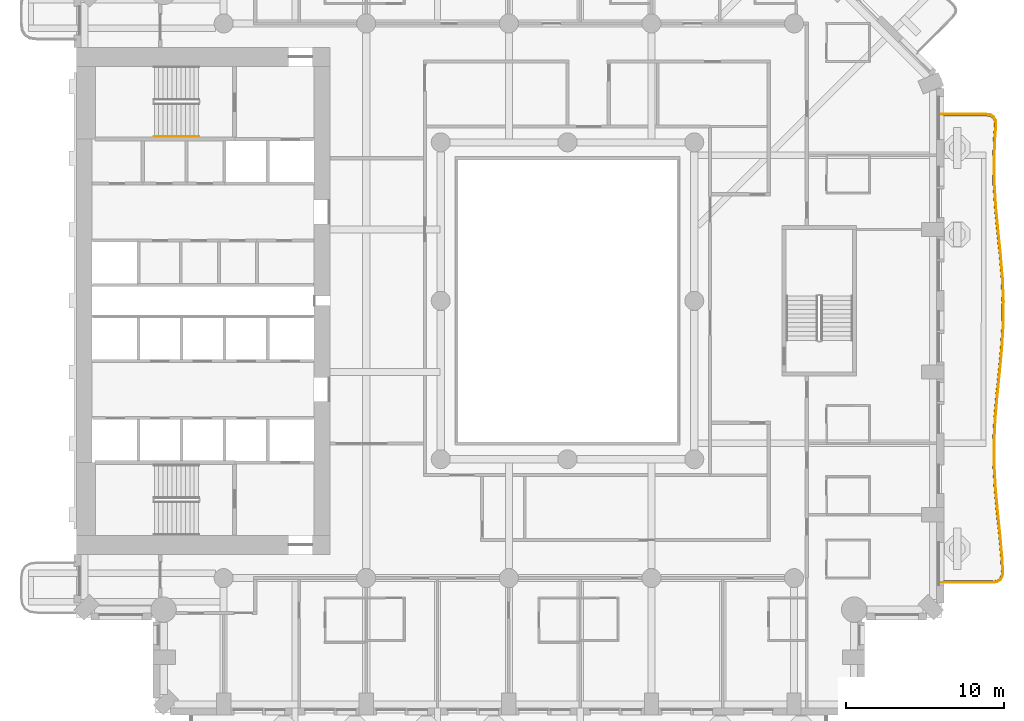
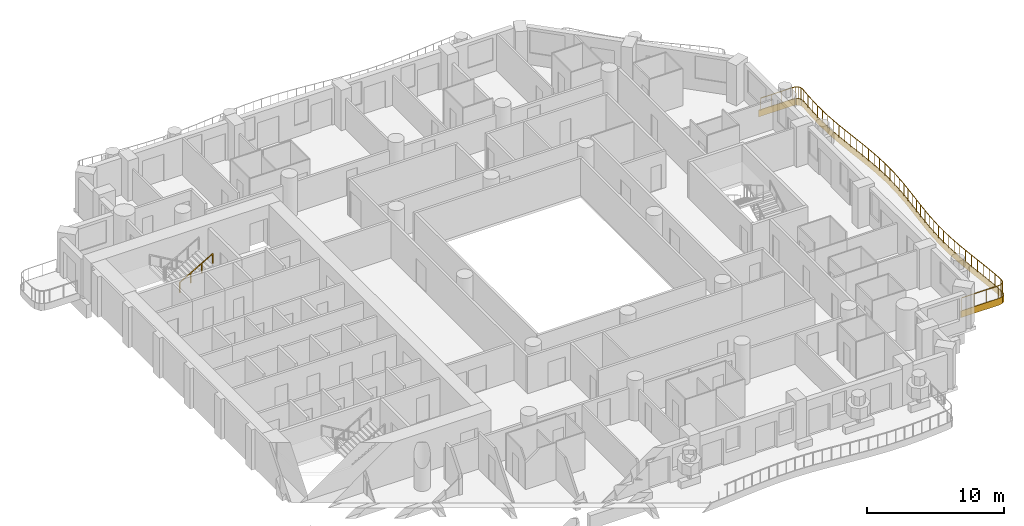
# One storey, part 16 of 20: 2 railings, 1 covering.
"""IFC4 building model written with IfcOpenShell, lengths in metres."""

import ifcopenshell
import ifcopenshell.guid

model = None  # the IFC model being written
_history = None  # IfcOwnerHistory: only IFC2X3 demands one
_inside = {}  # id of a spatial element -> (the spatial element, [elements in it])
_under = {}  # id of a project, library or spatial element -> (it, [spatial elements below it])
_declared = {}  # id of a project -> (the project, [libraries it declares])
_typed = {}  # id of a type object -> (the type object, [elements of that type])
_made_of = {}  # id of a material, layer set ... -> (it, [elements and type objects made of it])


def new_model(schema):
    """Start an empty IFC model of exactly this schema.

    Asked for "IFC4X3", IfcOpenShell would pick the latest addendum, in which some entities
    have other attributes; the version numbers below select the first issue.
    IFC2X3 requires an IfcOwnerHistory on every rooted entity: one is made here for all.
    """
    global model, _history
    if schema == "IFC4X3":
        model = ifcopenshell.file(schema_version=(4, 3, 0, 0))
    else:
        model = ifcopenshell.file(schema=schema)
    _inside.clear()
    _under.clear()
    _declared.clear()
    _typed.clear()
    _made_of.clear()
    _history = None
    if model.schema == "IFC2X3":
        org = make("IfcOrganization", Name="unknown")
        user = make(
            "IfcPersonAndOrganization",
            ThePerson=make("IfcPerson", FamilyName="unknown"),
            TheOrganization=org,
        )
        app = make(
            "IfcApplication",
            ApplicationDeveloper=org,
            Version="unknown",
            ApplicationFullName="unknown",
            ApplicationIdentifier="unknown",
        )
        _history = make(
            "IfcOwnerHistory",
            OwningUser=user,
            OwningApplication=app,
            ChangeAction="ADDED",
            CreationDate=0,
        )
    return model


def make(cls, **values):
    """One entity of the class cls with the attributes given. An attribute that is None is left unset."""
    return model.create_entity(
        cls, **{name: value for name, value in values.items() if value is not None}
    )


def rooted(cls, **values):
    """An entity with a GlobalId (a new one), such as an element, a storey or a relation."""
    return make(cls, GlobalId=ifcopenshell.guid.new(), OwnerHistory=_history, **values)


def si_unit(unit_type, name, prefix=None):
    """IfcSIUnit, for example si_unit("LENGTHUNIT", "METRE", prefix="MILLI")."""
    return make("IfcSIUnit", UnitType=unit_type, Prefix=prefix, Name=name)


def assignment(units):
    """IfcUnitAssignment: the units of a project."""
    return None if units is None else make("IfcUnitAssignment", Units=units)


def point(xyz):
    """IfcCartesianPoint."""
    return None if xyz is None else make("IfcCartesianPoint", Coordinates=xyz)


def direction(xyz):
    """IfcDirection."""
    return None if xyz is None else make("IfcDirection", DirectionRatios=xyz)


def frame(location, z_axis=None, x_axis=None):
    """IfcAxis2Placement3D, a coordinate frame: its origin and axes. An axis left out is left unset."""
    return make(
        "IfcAxis2Placement3D",
        Location=point(location),
        Axis=direction(z_axis),
        RefDirection=direction(x_axis),
    )


def frame_2d(location, x_axis=None):
    """IfcAxis2Placement2D, a coordinate frame in the plane: its origin and x axis."""
    return make(
        "IfcAxis2Placement2D", Location=point(location), RefDirection=direction(x_axis)
    )


def origin():
    """The frame at (0, 0, 0) with its axes left unset."""
    return frame((0.0, 0.0, 0.0))


def origin_2d():
    """The frame at (0, 0) in the plane with its x axis left unset."""
    return frame_2d((0.0, 0.0))


def place(relative_to, where):
    """IfcLocalPlacement: puts the frame where relative to a parent placement (None: the world)."""
    return make(
        "IfcLocalPlacement", PlacementRelTo=relative_to, RelativePlacement=where
    )


def context(
    kind, dimensions, precision=None, world=None, true_north=None, identifier=None
):
    """IfcGeometricRepresentationContext, for example the 3D "Model" context."""
    return make(
        "IfcGeometricRepresentationContext",
        ContextIdentifier=identifier,
        ContextType=kind,
        CoordinateSpaceDimension=dimensions,
        Precision=precision,
        WorldCoordinateSystem=world,
        TrueNorth=true_north,
    )


def subcontext(parent, identifier, kind, view, scale=None):
    """IfcGeometricRepresentationSubContext, for example "Body" below "Model"."""
    return make(
        "IfcGeometricRepresentationSubContext",
        ContextIdentifier=identifier,
        ContextType=kind,
        ParentContext=parent,
        TargetScale=scale,
        TargetView=view,
    )


def project(units=None, contexts=None):
    """IfcProject with its units and contexts."""
    return rooted(
        "IfcProject",
        Name="project",
        RepresentationContexts=contexts,
        UnitsInContext=assignment(units),
    )


def spatial(cls, under=None, at=None, **own):
    """A site, building, storey or space (cls), placed at a placement, below another one or the project."""
    s = rooted(cls, ObjectPlacement=at, **own)
    if under is not None:
        _under.setdefault(under.id(), (under, []))[1].append(s)
    return s


def polyline(points):
    """IfcPolyline through the points."""
    return make("IfcPolyline", Points=[point(p) for p in points])


def profile(cls, at=None, kind="AREA", **sizes):
    """A parametric profile (cls). Its sizes go by their IFC names, for example OverallWidth=200.0."""
    return make(cls, ProfileType=kind, Position=at, **sizes)


def rectangle(**sizes):
    """IfcRectangleProfileDef."""
    return profile("IfcRectangleProfileDef", **sizes)


def outline(outer, holes=None, kind="AREA"):
    """IfcArbitraryClosedProfileDef: a profile drawn as a closed curve; with holes, ...WithVoids."""
    if holes is None:
        return make("IfcArbitraryClosedProfileDef", ProfileType=kind, OuterCurve=outer)
    return make(
        "IfcArbitraryProfileDefWithVoids",
        ProfileType=kind,
        OuterCurve=outer,
        InnerCurves=holes,
    )


def extrude(swept, where, along, depth):
    """IfcExtrudedAreaSolid: the profile swept, set in the frame where, extruded along a direction by depth."""
    return make(
        "IfcExtrudedAreaSolid",
        SweptArea=swept,
        Position=where,
        ExtrudedDirection=direction(along),
        Depth=depth,
    )


def shape(context_of_items, identifier, shape_type, items):
    """IfcShapeRepresentation: the items that make up one representation, for example the "Body"."""
    return make(
        "IfcShapeRepresentation",
        ContextOfItems=context_of_items,
        RepresentationIdentifier=identifier,
        RepresentationType=shape_type,
        Items=items,
    )


def material(Name=None, Category=None):
    """IfcMaterial."""
    return make("IfcMaterial", Name=Name, Category=Category)


def layer(
    of_material, thickness, ventilated=None, Name=None, Category=None, Priority=None
):
    """IfcMaterialLayer: one layer of a wall or slab, of a material (None: an air gap)."""
    return make(
        "IfcMaterialLayer",
        Material=of_material,
        LayerThickness=thickness,
        IsVentilated=ventilated,
        Name=Name,
        Category=Category,
        Priority=Priority,
    )


def layer_set(layers, Name=None):
    """IfcMaterialLayerSet."""
    return make("IfcMaterialLayerSet", MaterialLayers=layers, LayerSetName=Name)


def made_of(thing, what):
    """Note that an element or type object is made of a material, layer set ...; save() writes the relation."""
    if what is not None:
        _made_of.setdefault(what.id(), (what, []))[1].append(thing)
    return thing


def type_object(cls, material=None, **own):
    """A type object (cls), such as IfcWallType, which elements share."""
    return made_of(rooted(cls, **own), material)


def element(
    cls,
    number,
    at=None,
    inside=None,
    cuts=None,
    type_object=None,
    material=None,
    context=None,
    identifier="Body",
    shape_type=None,
    held_by="IfcProductDefinitionShape",
    body=None,
    shapes=None,
    **own,
):
    """One element of the class cls, such as IfcWall. Its Tag is "e" and its number.

    at: its placement. inside: the storey or other place that contains it. cuts: it is an
    opening in that element (IfcRelVoidsElement). A single representation is given by context,
    identifier, shape_type and body (its items); several are given by shapes. held_by: the class
    of the entity that holds the representations. save() writes the other relations.
    """
    e = rooted(cls, Tag="e%d" % number, ObjectPlacement=at, **own)
    if body is not None:
        shapes = [shape(context, identifier, shape_type, body)]
    if shapes is not None:
        e.Representation = make(held_by, Representations=shapes)
    if inside is not None:
        _inside.setdefault(inside.id(), (inside, []))[1].append(e)
    if cuts is not None:
        rooted(
            "IfcRelVoidsElement", RelatingBuildingElement=cuts, RelatedOpeningElement=e
        )
    if type_object is not None:
        _typed.setdefault(type_object.id(), (type_object, []))[1].append(e)
    return made_of(e, material)


def aggregate(whole, parts):
    """IfcRelAggregates: a whole, such as a stair, and the parts it consists of."""
    return rooted("IfcRelAggregates", RelatingObject=whole, RelatedObjects=parts)


def save(model, path):
    """Write the relations noted so far, then the file.

    IfcRelAggregates (storeys below a building ...), IfcRelContainedInSpatialStructure (elements
    in a storey), IfcRelDefinesByType, IfcRelAssociatesMaterial and IfcRelDeclares: one each for
    every whole, place, type object, material and project.
    """
    for whole, parts in _under.values():
        aggregate(whole, parts)
    for where, things in _inside.values():
        rooted(
            "IfcRelContainedInSpatialStructure",
            RelatedElements=things,
            RelatingStructure=where,
        )
    for kind, things in _typed.values():
        rooted("IfcRelDefinesByType", RelatedObjects=things, RelatingType=kind)
    for what, things in _made_of.values():
        rooted("IfcRelAssociatesMaterial", RelatedObjects=things, RelatingMaterial=what)
    for by, libraries in _declared.values():
        rooted("IfcRelDeclares", RelatingContext=by, RelatedDefinitions=libraries)
    model.write(path)


model = new_model("IFC4")

# Units and contexts
model_context = context("Model", 3, precision=1e-05, world=origin(), true_north=direction((0.0, 1.0)))
body_context = subcontext(model_context, "Body", "Model", "MODEL_VIEW")
ifc_project = project(units=[si_unit("LENGTHUNIT", "METRE"), si_unit("AREAUNIT", "SQUARE_METRE"), si_unit("VOLUMEUNIT", "CUBIC_METRE"), si_unit("PLANEANGLEUNIT", "RADIAN"), si_unit("MASSUNIT", "GRAM", prefix="KILO")], contexts=[model_context])

# Site, building, storey
site_placement = place(None, origin())
site = spatial("IfcSite", under=ifc_project, at=site_placement, CompositionType="ELEMENT")
building_placement = place(site_placement, origin())
building = spatial("IfcBuilding", under=site, at=building_placement, Name="Cypress Arch Tower", CompositionType="ELEMENT")
storey_placement = place(building_placement, frame((0.0, 0.0, 77.10009765625)))
storey = spatial("IfcBuildingStorey", under=building, at=storey_placement, Name="L13", CompositionType="ELEMENT", Elevation=77.10009765625)

# Covering
ifc_material_1 = material(Name="White powder-coated aluminium fascia", Category="aluminium")
ifc_layer = layer(ifc_material_1, 0.050048828125)
ifc_layer_set = layer_set([ifc_layer], Name="Balcony fascia BF50")
covering_type = type_object("IfcCoveringType", Name="Balcony fascia BF50", PredefinedType="CLADDING", material=ifc_layer_set)
covering_placement = place(storey_placement, frame((0.0, 0.0, -0.60009765625)))
element("IfcCovering", 1, at=covering_placement, inside=storey, type_object=covering_type, Name="Balcony fascia L13-A06", PredefinedType="CLADDING", context=body_context, shape_type="SweptSolid", body=[
    extrude(outline(polyline([(27.410888671875, 11.800048828125), (27.712890625, 11.756591796875), (27.931640625, 11.619140625), (28.051025390625, 11.390380859375), (28.070556640625, 11.0859375), (28.005615234375, 10.272216796875), (27.95166015625, 8.799560546875), (27.974853515625, 7.326904296875), (28.0693359375, 5.85400390625), (28.210693359375, 4.3798828125), (28.362060546875, 2.904541015625), (28.484619140625, 1.42822265625), (28.54638671875, -0.04931640625), (28.531005859375, -1.52685546875), (28.442626953125, -3.00390625), (28.304443359375, -4.47998046875), (28.152099609375, -5.954833984375), (28.025146484375, -7.42822265625), (27.95654296875, -8.901123046875), (27.9638671875, -10.37353515625), (28.045166015625, -11.846435546875), (28.1796875, -13.320068359375), (28.33251953125, -14.795166015625), (28.4638671875, -16.271484375), (28.505859375, -17.087158203125), (28.477783203125, -17.3916015625), (28.3525390625, -17.61962890625), (28.131103515625, -17.756591796875), (27.82861328125, -17.800048828125), (24.60107421875, -17.800048828125), (24.60107421875, -17.75), (27.8251953125, -17.75), (28.11376953125, -17.70849609375), (28.315185546875, -17.583984375), (28.428955078125, -17.376708984375), (28.45556640625, -17.086181640625), (28.4140625, -16.27490234375), (28.28271484375, -14.800048828125), (28.1298828125, -13.324951171875), (27.995361328125, -11.85009765625), (27.913818359375, -10.375), (27.906494140625, -8.89990234375), (27.975341796875, -7.425048828125), (28.102294921875, -5.949951171875), (28.254638671875, -4.47509765625), (28.392822265625, -3.0), (28.48095703125, -1.52490234375), (28.496337890625, -0.050048828125), (28.434814453125, 1.425048828125), (28.3125, 2.89990234375), (28.160888671875, 4.375), (28.01953125, 5.85009765625), (27.9248046875, 7.324951171875), (27.901611328125, 8.800048828125), (27.955810546875, 10.27490234375), (28.020263671875, 11.086181640625), (28.001953125, 11.376708984375), (27.8935546875, 11.583984375), (27.6953125, 11.70849609375), (27.407470703125, 11.75), (24.60107421875, 11.75), (24.60107421875, 11.800048828125), (27.410888671875, 11.800048828125)])), origin(), (0.0, 0.0, 1.0), 0.60009765625),
])

# Railings
ifc_material_2 = material(Name="Powder-coated steel posts and rods, 100 mm clear between rods", Category="steel")
railing_type_1 = type_object("IfcRailingType", Name="Balcony guard GR1100", PredefinedType="GUARDRAIL", material=ifc_material_2)
railing_1_placement = place(storey_placement, frame((24.75, 11.699951171875, 0.0)))
element("IfcRailing", 2, at=railing_1_placement, inside=storey, type_object=railing_type_1, Name="Balcony guard L13-A06", PredefinedType="GUARDRAIL", context=body_context, shape_type="SweptSolid", body=[
    extrude(rectangle(XDim=0.050048828125, YDim=0.050048828125, at=origin_2d()), frame((0.0, 0.0, 1.0751953125), z_axis=(1.0, 0.0, 0.0), x_axis=(0.0, 1.0, 0.0)), (0.0, 0.0, 1.0), 2.65380859375),
    extrude(rectangle(XDim=0.050048828125, YDim=0.050048828125, at=origin_2d()), frame((2.65380859375, 0.0, 1.0751953125), z_axis=(0.989861078122, -0.142038889107, 0.0), x_axis=(0.142038889107, 0.989861078122, 0.0)), (0.0, 0.0, 1.0), 0.276611328125),
    extrude(rectangle(XDim=0.050048828125, YDim=0.050048828125, at=origin_2d()), frame((2.927734375, -0.039306640625, 1.0751953125), z_axis=(0.846426943671, -0.532504862914, 0.0), x_axis=(0.532504862914, 0.846426943671, 0.0)), (0.0, 0.0, 1.0), 0.2099609375),
    extrude(rectangle(XDim=0.050048828125, YDim=0.050048828125, at=origin_2d()), frame((3.10546875, -0.151123046875, 1.0751953125), z_axis=(0.462963496181, -0.88637734696, 0.0), x_axis=(0.88637734696, 0.462963496181, 0.0)), (0.0, 0.0, 1.0), 0.2099609375),
    extrude(rectangle(XDim=0.050048828125, YDim=0.050048828125, at=origin_2d()), frame((3.20263671875, -0.337158203125, 1.0751953125), z_axis=(0.063531871199, -0.997979810087, 0.0), x_axis=(0.997979810087, 0.063531871199, 0.0)), (0.0, 0.0, 1.0), 0.276611328125),
    extrude(rectangle(XDim=0.050048828125, YDim=0.050048828125, at=origin_2d()), frame((3.22021484375, -0.61328125, 1.0751953125), z_axis=(-0.079434285432, -0.99684010468, 0.0), x_axis=(0.99684010468, -0.079434285432, 0.0)), (0.0, 0.0, 1.0), 0.8115234375),
    extrude(rectangle(XDim=0.050048828125, YDim=0.050048828125, at=origin_2d()), frame((3.15576171875, -1.422119140625, 1.0751953125), z_axis=(-0.036663484118, -0.999327668451, 0.0), x_axis=(0.999327668451, -0.036663484118, 0.0)), (0.0, 0.0, 1.0), 1.478271484375),
    extrude(rectangle(XDim=0.050048828125, YDim=0.050048828125, at=origin_2d()), frame((3.1015625, -2.8994140625, 1.0751953125), z_axis=(0.0158605295, -0.999874213891, 0.0), x_axis=(0.999874213891, 0.0158605295, 0.0)), (0.0, 0.0, 1.0), 1.477783203125),
    extrude(rectangle(XDim=0.050048828125, YDim=0.050048828125, at=origin_2d()), frame((3.125, -4.376953125, 1.0751953125), z_axis=(0.064000750736, -0.997949850396, 0.0), x_axis=(0.997949850396, 0.064000750736, 0.0)), (0.0, 0.0, 1.0), 1.47998046875),
    extrude(rectangle(XDim=0.050048828125, YDim=0.050048828125, at=origin_2d()), frame((3.2197265625, -5.85400390625, 1.0751953125), z_axis=(0.0953452816, -0.995444261261, 0.0), x_axis=(0.995444261261, 0.0953452816, 0.0)), (0.0, 0.0, 1.0), 1.482666015625),
    extrude(rectangle(XDim=0.050048828125, YDim=0.050048828125, at=origin_2d()), frame((3.361083984375, -7.329833984375, 1.0751953125), z_axis=(0.102258669094, -0.994757842188, 0.0), x_axis=(0.994757842188, 0.102258669094, 0.0)), (0.0, 0.0, 1.0), 1.482666015625),
    extrude(rectangle(XDim=0.050048828125, YDim=0.050048828125, at=origin_2d()), frame((3.5126953125, -8.8046875, 1.0751953125), z_axis=(0.082567150245, -0.996585503457, 0.0), x_axis=(0.996585503457, 0.082567150245, 0.0)), (0.0, 0.0, 1.0), 1.478515625),
    extrude(rectangle(XDim=0.050048828125, YDim=0.050048828125, at=origin_2d()), frame((3.634765625, -10.278076171875, 1.0751953125), z_axis=(0.04174077842, -0.99912847393, 0.0), x_axis=(0.99912847393, 0.04174077842, 0.0)), (0.0, 0.0, 1.0), 1.473876953125),
    extrude(rectangle(XDim=0.050048828125, YDim=0.050048828125, at=origin_2d()), frame((3.6962890625, -11.750732421875, 1.0751953125), z_axis=(-0.010445458965, -0.999945444705, 0.0), x_axis=(0.999945444705, -0.010445458965, 0.0)), (0.0, 0.0, 1.0), 1.472412109375),
    extrude(rectangle(XDim=0.050048828125, YDim=0.050048828125, at=origin_2d()), frame((3.680908203125, -13.22314453125, 1.0751953125), z_axis=(-0.059565850521, -0.99822437831, 0.0), x_axis=(0.99822437831, -0.059565850521, 0.0)), (0.0, 0.0, 1.0), 1.4755859375),
    extrude(rectangle(XDim=0.050048828125, YDim=0.050048828125, at=origin_2d()), frame((3.593017578125, -14.696044921875, 1.0751953125), z_axis=(-0.093330492549, -0.99563518377, 0.0), x_axis=(0.99563518377, -0.093330492549, 0.0)), (0.0, 0.0, 1.0), 1.48046875),
    extrude(rectangle(XDim=0.050048828125, YDim=0.050048828125, at=origin_2d()), frame((3.454833984375, -16.170166015625, 1.0751953125), z_axis=(-0.102730643463, -0.994709211224, 0.0), x_axis=(0.994709211224, -0.102730643463, 0.0)), (0.0, 0.0, 1.0), 1.48291015625),
    extrude(rectangle(XDim=0.050048828125, YDim=0.050048828125, at=origin_2d()), frame((3.302490234375, -17.645263671875, 1.0751953125), z_axis=(-0.085840406319, -0.996308900213, 0.0), x_axis=(0.996308900213, -0.085840406319, 0.0)), (0.0, 0.0, 1.0), 1.481689453125),
    extrude(rectangle(XDim=0.050048828125, YDim=0.050048828125, at=origin_2d()), frame((3.17529296875, -19.12158203125, 1.0751953125), z_axis=(-0.046553339475, -0.998915805553, 0.0), x_axis=(0.998915805553, -0.046553339475, 0.0)), (0.0, 0.0, 1.0), 1.47900390625),
    extrude(rectangle(XDim=0.050048828125, YDim=0.050048828125, at=origin_2d()), frame((3.1064453125, -20.598876953125, 1.0751953125), z_axis=(0.005122206432, -0.999986881415, 0.0), x_axis=(0.999986881415, 0.005122206432, 0.0)), (0.0, 0.0, 1.0), 1.4775390625),
    extrude(rectangle(XDim=0.050048828125, YDim=0.050048828125, at=origin_2d()), frame((3.114013671875, -22.076416015625, 1.0751953125), z_axis=(0.055113592853, -0.99848009088, 0.0), x_axis=(0.99848009088, 0.055113592853, 0.0)), (0.0, 0.0, 1.0), 1.4794921875),
    extrude(rectangle(XDim=0.050048828125, YDim=0.050048828125, at=origin_2d()), frame((3.195556640625, -23.5537109375, 1.0751953125), z_axis=(0.090758515415, -0.995872929585, 0.0), x_axis=(0.995872929585, 0.090758515415, 0.0)), (0.0, 0.0, 1.0), 1.482177734375),
    extrude(rectangle(XDim=0.050048828125, YDim=0.050048828125, at=origin_2d()), frame((3.330078125, -25.02978515625, 1.0751953125), z_axis=(0.103073295143, -0.994673763517, 0.0), x_axis=(0.994673763517, 0.103073295143, 0.0)), (0.0, 0.0, 1.0), 1.482666015625),
    extrude(rectangle(XDim=0.050048828125, YDim=0.050048828125, at=origin_2d()), frame((3.48291015625, -26.504638671875, 1.0751953125), z_axis=(0.088601632447, -0.996067141677, 0.0), x_axis=(0.996067141677, 0.088601632447, 0.0)), (0.0, 0.0, 1.0), 1.479736328125),
    extrude(rectangle(XDim=0.050048828125, YDim=0.050048828125, at=origin_2d()), frame((3.614013671875, -27.978515625, 1.0751953125), z_axis=(0.051384811668, -0.998678927949, 0.0), x_axis=(0.998678927949, 0.051384811668, 0.0)), (0.0, 0.0, 1.0), 0.8076171875),
    extrude(rectangle(XDim=0.050048828125, YDim=0.050048828125, at=origin_2d()), frame((3.655517578125, -28.78515625, 1.0751953125), z_axis=(-0.091407424663, -0.995813578295, 0.0), x_axis=(0.995813578295, -0.091407424663, 0.0)), (0.0, 0.0, 1.0), 0.27783203125),
    extrude(rectangle(XDim=0.050048828125, YDim=0.050048828125, at=origin_2d()), frame((3.630126953125, -29.061767578125, 1.0751953125), z_axis=(-0.481742616239, -0.876312759064, 0.0), x_axis=(0.876312759064, -0.481742616239, 0.0)), (0.0, 0.0, 1.0), 0.212890625),
    extrude(rectangle(XDim=0.050048828125, YDim=0.050048828125, at=origin_2d()), frame((3.527587890625, -29.248291015625, 1.0751953125), z_axis=(-0.850436083409, -0.526078385828, 0.0), x_axis=(0.526078385828, -0.850436083409, 0.0)), (0.0, 0.0, 1.0), 0.212890625),
    extrude(rectangle(XDim=0.050048828125, YDim=0.050048828125, at=origin_2d()), frame((3.346435546875, -29.3603515625, 1.0751953125), z_axis=(-0.989808356363, -0.142405820365, 0.0), x_axis=(0.142405820365, -0.989808356363, 0.0)), (0.0, 0.0, 1.0), 0.27783203125),
    extrude(rectangle(XDim=0.050048828125, YDim=0.050048828125, at=origin_2d()), frame((3.071533203125, -29.39990234375, 1.0751953125), z_axis=(-1.0, 0.0, 0.0), x_axis=(0.0, -1.0, 0.0)), (0.0, 0.0, 1.0), 3.071533203125),
    extrude(rectangle(XDim=0.0400390625, YDim=0.0400390625, at=origin_2d()), origin(), (0.0, 0.0, 1.0), 1.050048828125),
    extrude(rectangle(XDim=0.0400390625, YDim=0.0400390625, at=origin_2d()), frame((0.884521484375, 0.0, 0.0)), (0.0, 0.0, 1.0), 1.050048828125),
    extrude(rectangle(XDim=0.0400390625, YDim=0.0400390625, at=origin_2d()), frame((1.769287109375, 0.0, 0.0)), (0.0, 0.0, 1.0), 1.050048828125),
    extrude(rectangle(XDim=0.0400390625, YDim=0.0400390625, at=origin_2d()), frame((2.65380859375, 0.0, 0.0)), (0.0, 0.0, 1.0), 1.050048828125),
    extrude(rectangle(XDim=0.0400390625, YDim=0.0400390625, at=origin_2d()), frame((2.927734375, -0.039306640625, 0.0)), (0.0, 0.0, 1.0), 1.050048828125),
    extrude(rectangle(XDim=0.0400390625, YDim=0.0400390625, at=origin_2d()), frame((3.10546875, -0.151123046875, 0.0)), (0.0, 0.0, 1.0), 1.050048828125),
    extrude(rectangle(XDim=0.0400390625, YDim=0.0400390625, at=origin_2d()), frame((3.20263671875, -0.337158203125, 0.0)), (0.0, 0.0, 1.0), 1.050048828125),
    extrude(rectangle(XDim=0.0400390625, YDim=0.0400390625, at=origin_2d()), frame((3.22021484375, -0.61328125, 0.0)), (0.0, 0.0, 1.0), 1.050048828125),
    extrude(rectangle(XDim=0.0400390625, YDim=0.0400390625, at=origin_2d()), frame((3.15576171875, -1.422119140625, 0.0)), (0.0, 0.0, 1.0), 1.050048828125),
    extrude(rectangle(XDim=0.0400390625, YDim=0.0400390625, at=origin_2d()), frame((3.128662109375, -2.16064453125, 0.0)), (0.0, 0.0, 1.0), 1.050048828125),
    extrude(rectangle(XDim=0.0400390625, YDim=0.0400390625, at=origin_2d()), frame((3.1015625, -2.8994140625, 0.0)), (0.0, 0.0, 1.0), 1.050048828125),
    extrude(rectangle(XDim=0.0400390625, YDim=0.0400390625, at=origin_2d()), frame((3.11328125, -3.63818359375, 0.0)), (0.0, 0.0, 1.0), 1.050048828125),
    extrude(rectangle(XDim=0.0400390625, YDim=0.0400390625, at=origin_2d()), frame((3.125, -4.376953125, 0.0)), (0.0, 0.0, 1.0), 1.050048828125),
    extrude(rectangle(XDim=0.0400390625, YDim=0.0400390625, at=origin_2d()), frame((3.17236328125, -5.115478515625, 0.0)), (0.0, 0.0, 1.0), 1.050048828125),
    extrude(rectangle(XDim=0.0400390625, YDim=0.0400390625, at=origin_2d()), frame((3.2197265625, -5.85400390625, 0.0)), (0.0, 0.0, 1.0), 1.050048828125),
    extrude(rectangle(XDim=0.0400390625, YDim=0.0400390625, at=origin_2d()), frame((3.29052734375, -6.591796875, 0.0)), (0.0, 0.0, 1.0), 1.050048828125),
    extrude(rectangle(XDim=0.0400390625, YDim=0.0400390625, at=origin_2d()), frame((3.361083984375, -7.329833984375, 0.0)), (0.0, 0.0, 1.0), 1.050048828125),
    extrude(rectangle(XDim=0.0400390625, YDim=0.0400390625, at=origin_2d()), frame((3.43701171875, -8.0673828125, 0.0)), (0.0, 0.0, 1.0), 1.050048828125),
    extrude(rectangle(XDim=0.0400390625, YDim=0.0400390625, at=origin_2d()), frame((3.5126953125, -8.8046875, 0.0)), (0.0, 0.0, 1.0), 1.050048828125),
    extrude(rectangle(XDim=0.0400390625, YDim=0.0400390625, at=origin_2d()), frame((3.57373046875, -9.54150390625, 0.0)), (0.0, 0.0, 1.0), 1.050048828125),
    extrude(rectangle(XDim=0.0400390625, YDim=0.0400390625, at=origin_2d()), frame((3.634765625, -10.278076171875, 0.0)), (0.0, 0.0, 1.0), 1.050048828125),
    extrude(rectangle(XDim=0.0400390625, YDim=0.0400390625, at=origin_2d()), frame((3.66552734375, -11.014404296875, 0.0)), (0.0, 0.0, 1.0), 1.050048828125),
    extrude(rectangle(XDim=0.0400390625, YDim=0.0400390625, at=origin_2d()), frame((3.6962890625, -11.750732421875, 0.0)), (0.0, 0.0, 1.0), 1.050048828125),
    extrude(rectangle(XDim=0.0400390625, YDim=0.0400390625, at=origin_2d()), frame((3.6884765625, -12.48681640625, 0.0)), (0.0, 0.0, 1.0), 1.050048828125),
    extrude(rectangle(XDim=0.0400390625, YDim=0.0400390625, at=origin_2d()), frame((3.680908203125, -13.22314453125, 0.0)), (0.0, 0.0, 1.0), 1.050048828125),
    extrude(rectangle(XDim=0.0400390625, YDim=0.0400390625, at=origin_2d()), frame((3.636962890625, -13.95947265625, 0.0)), (0.0, 0.0, 1.0), 1.050048828125),
    extrude(rectangle(XDim=0.0400390625, YDim=0.0400390625, at=origin_2d()), frame((3.593017578125, -14.696044921875, 0.0)), (0.0, 0.0, 1.0), 1.050048828125),
    extrude(rectangle(XDim=0.0400390625, YDim=0.0400390625, at=origin_2d()), frame((3.52392578125, -15.43310546875, 0.0)), (0.0, 0.0, 1.0), 1.050048828125),
    extrude(rectangle(XDim=0.0400390625, YDim=0.0400390625, at=origin_2d()), frame((3.454833984375, -16.170166015625, 0.0)), (0.0, 0.0, 1.0), 1.050048828125),
    extrude(rectangle(XDim=0.0400390625, YDim=0.0400390625, at=origin_2d()), frame((3.378662109375, -16.90771484375, 0.0)), (0.0, 0.0, 1.0), 1.050048828125),
    extrude(rectangle(XDim=0.0400390625, YDim=0.0400390625, at=origin_2d()), frame((3.302490234375, -17.645263671875, 0.0)), (0.0, 0.0, 1.0), 1.050048828125),
    extrude(rectangle(XDim=0.0400390625, YDim=0.0400390625, at=origin_2d()), frame((3.23876953125, -18.38330078125, 0.0)), (0.0, 0.0, 1.0), 1.050048828125),
    extrude(rectangle(XDim=0.0400390625, YDim=0.0400390625, at=origin_2d()), frame((3.17529296875, -19.12158203125, 0.0)), (0.0, 0.0, 1.0), 1.050048828125),
    extrude(rectangle(XDim=0.0400390625, YDim=0.0400390625, at=origin_2d()), frame((3.140869140625, -19.8603515625, 0.0)), (0.0, 0.0, 1.0), 1.050048828125),
    extrude(rectangle(XDim=0.0400390625, YDim=0.0400390625, at=origin_2d()), frame((3.1064453125, -20.598876953125, 0.0)), (0.0, 0.0, 1.0), 1.050048828125),
    extrude(rectangle(XDim=0.0400390625, YDim=0.0400390625, at=origin_2d()), frame((3.1103515625, -21.337646484375, 0.0)), (0.0, 0.0, 1.0), 1.050048828125),
    extrude(rectangle(XDim=0.0400390625, YDim=0.0400390625, at=origin_2d()), frame((3.114013671875, -22.076416015625, 0.0)), (0.0, 0.0, 1.0), 1.050048828125),
    extrude(rectangle(XDim=0.0400390625, YDim=0.0400390625, at=origin_2d()), frame((3.15478515625, -22.81494140625, 0.0)), (0.0, 0.0, 1.0), 1.050048828125),
    extrude(rectangle(XDim=0.0400390625, YDim=0.0400390625, at=origin_2d()), frame((3.195556640625, -23.5537109375, 0.0)), (0.0, 0.0, 1.0), 1.050048828125),
    extrude(rectangle(XDim=0.0400390625, YDim=0.0400390625, at=origin_2d()), frame((3.2626953125, -24.291748046875, 0.0)), (0.0, 0.0, 1.0), 1.050048828125),
    extrude(rectangle(XDim=0.0400390625, YDim=0.0400390625, at=origin_2d()), frame((3.330078125, -25.02978515625, 0.0)), (0.0, 0.0, 1.0), 1.050048828125),
    extrude(rectangle(XDim=0.0400390625, YDim=0.0400390625, at=origin_2d()), frame((3.406494140625, -25.76708984375, 0.0)), (0.0, 0.0, 1.0), 1.050048828125),
    extrude(rectangle(XDim=0.0400390625, YDim=0.0400390625, at=origin_2d()), frame((3.48291015625, -26.504638671875, 0.0)), (0.0, 0.0, 1.0), 1.050048828125),
    extrude(rectangle(XDim=0.0400390625, YDim=0.0400390625, at=origin_2d()), frame((3.54833984375, -27.24169921875, 0.0)), (0.0, 0.0, 1.0), 1.050048828125),
    extrude(rectangle(XDim=0.0400390625, YDim=0.0400390625, at=origin_2d()), frame((3.614013671875, -27.978515625, 0.0)), (0.0, 0.0, 1.0), 1.050048828125),
    extrude(rectangle(XDim=0.0400390625, YDim=0.0400390625, at=origin_2d()), frame((3.655517578125, -28.78515625, 0.0)), (0.0, 0.0, 1.0), 1.050048828125),
    extrude(rectangle(XDim=0.0400390625, YDim=0.0400390625, at=origin_2d()), frame((3.630126953125, -29.061767578125, 0.0)), (0.0, 0.0, 1.0), 1.050048828125),
    extrude(rectangle(XDim=0.0400390625, YDim=0.0400390625, at=origin_2d()), frame((3.527587890625, -29.248291015625, 0.0)), (0.0, 0.0, 1.0), 1.050048828125),
    extrude(rectangle(XDim=0.0400390625, YDim=0.0400390625, at=origin_2d()), frame((3.346435546875, -29.3603515625, 0.0)), (0.0, 0.0, 1.0), 1.050048828125),
    extrude(rectangle(XDim=0.0400390625, YDim=0.0400390625, at=origin_2d()), frame((3.071533203125, -29.39990234375, 0.0)), (0.0, 0.0, 1.0), 1.050048828125),
    extrude(rectangle(XDim=0.0400390625, YDim=0.0400390625, at=origin_2d()), frame((2.047607421875, -29.39990234375, 0.0)), (0.0, 0.0, 1.0), 1.050048828125),
    extrude(rectangle(XDim=0.0400390625, YDim=0.0400390625, at=origin_2d()), frame((1.02392578125, -29.39990234375, 0.0)), (0.0, 0.0, 1.0), 1.050048828125),
    extrude(rectangle(XDim=0.0400390625, YDim=0.0400390625, at=origin_2d()), frame((0.0, -29.39990234375, 0.0)), (0.0, 0.0, 1.0), 1.050048828125),
])
ifc_material_3 = material(Name="Black powder-coated steel square bar 48 mm", Category="steel")
railing_type_2 = type_object("IfcRailingType", Name="Stair handrail HR1", PredefinedType="HANDRAIL", material=ifc_material_3)
railing_2_placement = place(storey_placement, frame((-25.074951171875, 10.375, 1.963623046875)))
element("IfcRailing", 3, at=railing_2_placement, inside=storey, type_object=railing_type_2, Name="L13 B stair handrail 2", PredefinedType="HANDRAIL", context=body_context, shape_type="SweptSolid", body=[
    extrude(rectangle(XDim=0.048095703125, YDim=0.048095703125, at=origin_2d()), frame((0.0, 0.0, 0.8759765625), z_axis=(0.863393664356, 0.0, 0.504530851732), x_axis=(0.0, 1.0, 0.0)), (0.0, 0.0, 1.0), 3.2431640625),
    extrude(rectangle(XDim=0.0419921875, YDim=0.0419921875, at=origin_2d()), origin(), (0.0, 0.0, 1.0), 0.851806640625),
    extrude(rectangle(XDim=0.0419921875, YDim=0.0419921875, at=origin_2d()), frame((0.933349609375, 0.0, 0.54541015625)), (0.0, 0.0, 1.0), 0.851806640625),
    extrude(rectangle(XDim=0.0419921875, YDim=0.0419921875, at=origin_2d()), frame((1.86669921875, 0.0, 1.0908203125)), (0.0, 0.0, 1.0), 0.851806640625),
    extrude(rectangle(XDim=0.0419921875, YDim=0.0419921875, at=origin_2d()), frame((2.800048828125, 0.0, 1.63623046875)), (0.0, 0.0, 1.0), 0.851806640625),
])

save(model, "model.ifc")
